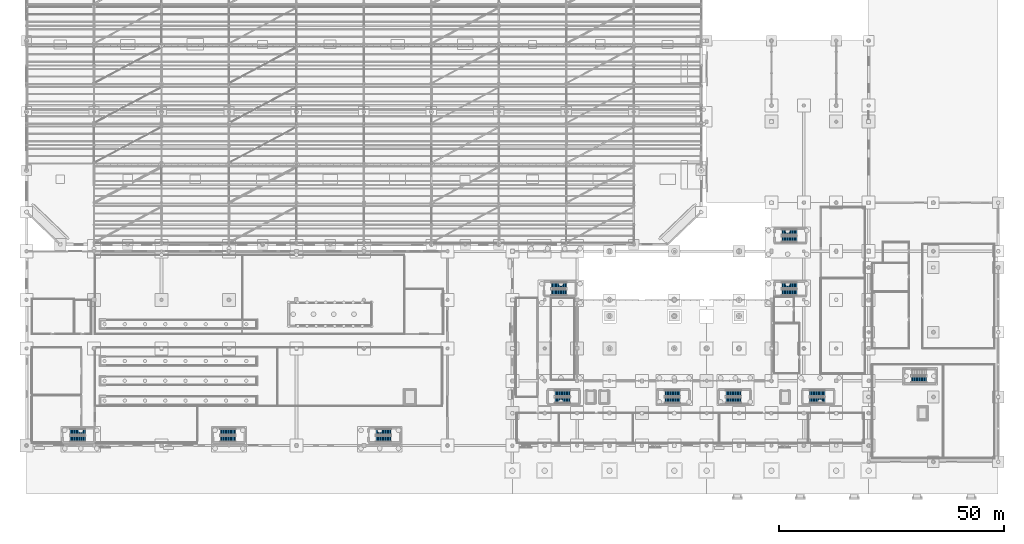
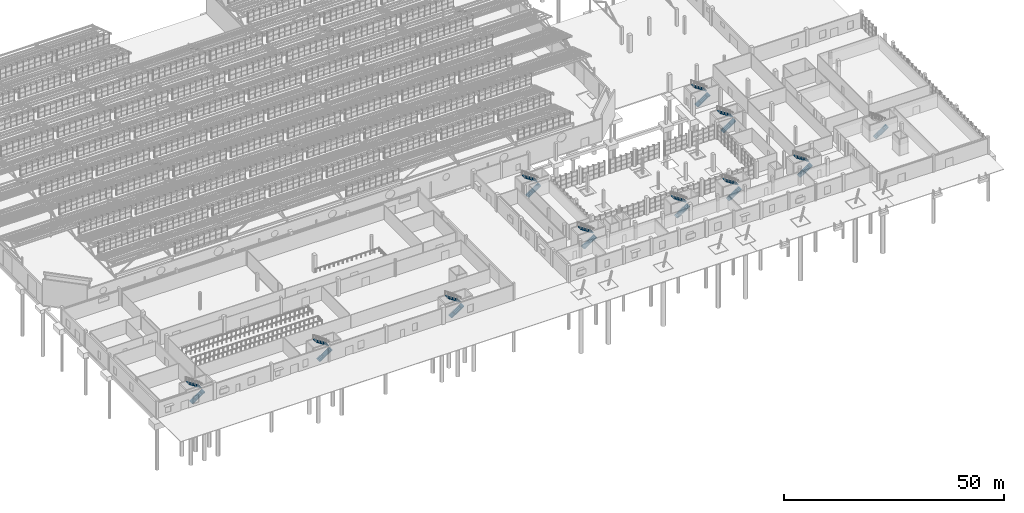
# One storey, part 263 of 285: 21 stair flights, 11 elements without a shape of their own.
"""IFC4 building model written with IfcOpenShell, lengths in metres."""

from ifc_helpers import new_model, si_unit, direction, frame, origin, place, context, subcontext, project, spatial, polyline, outline, extrude, material, type_object, element, aggregate, save


model = new_model("IFC4")

# Units and contexts
model_context = context("Model", 3, precision=1e-05, world=origin(), true_north=direction((0.0, 1.0)))
body_context = subcontext(model_context, "Body", "Model", "MODEL_VIEW")
ifc_project = project(units=[si_unit("LENGTHUNIT", "METRE"), si_unit("AREAUNIT", "SQUARE_METRE"), si_unit("VOLUMEUNIT", "CUBIC_METRE"), si_unit("PLANEANGLEUNIT", "RADIAN"), si_unit("MASSUNIT", "GRAM", prefix="KILO")], contexts=[model_context])

# Site, building, storey
site_placement = place(None, origin())
site = spatial("IfcSite", under=ifc_project, at=site_placement, CompositionType="ELEMENT")
building_placement = place(site_placement, origin())
building = spatial("IfcBuilding", under=site, at=building_placement, Name="Solanera Park Tramway Depot", CompositionType="ELEMENT")
storey_placement = place(building_placement, origin())
storey = spatial("IfcBuildingStorey", under=building, at=storey_placement, Name="L00", CompositionType="ELEMENT", Elevation=0.0)

# Stair, stair flights
ifc_material_1 = material(Name="Concrete N40 (C40/50)", Category="concrete")
stair_type = type_object("IfcStairType", Name="Stair Half-Turn Dogleg 4800", PredefinedType="HALF_TURN_STAIR", material=ifc_material_1)
stair_1_placement = place(storey_placement, origin())
stair_1 = element("IfcStair", 1, at=stair_1_placement, inside=storey, type_object=stair_type, Name="ST-01 L00 Half-Turn Stair", PredefinedType="HALF_TURN_STAIR")
ifc_material_2 = material(Name="Concrete N40 (C40/50)", Category="concrete")
stair_flight_type = type_object("IfcStairFlightType", Name="Stair Flight Concrete 1300", PredefinedType="STRAIGHT", material=ifc_material_2)
stair_flight_1_placement = place(storey_placement, frame((117.5, 20.875, 0.0), z_axis=(0.0, 0.0, 1.0), x_axis=(1.0, 0.0, 0.0)))
stair_flight_1 = element("IfcStairFlight", 2, at=stair_flight_1_placement, type_object=stair_flight_type, Name="ST-01 L00 Stair Flight 1", NumberOfRisers=13, NumberOfTreads=12, PredefinedType="STRAIGHT", RiserHeight=0.184615385, TreadLength=0.28, context=body_context, shape_type="SweptSolid", body=[
    extrude(outline(polyline([(0.0, 0.0), (0.0, 0.1845703125), (0.280029296875, 0.1845703125), (0.280029296875, 0.369140625), (0.56005859375, 0.369140625), (0.56005859375, 0.553955078125), (0.840087890625, 0.553955078125), (0.840087890625, 0.738525390625), (1.1201171875, 0.738525390625), (1.1201171875, 0.923095703125), (1.39990234375, 0.923095703125), (1.39990234375, 1.107666015625), (1.679931640625, 1.107666015625), (1.679931640625, 1.292236328125), (1.9599609375, 1.292236328125), (1.9599609375, 1.476806640625), (2.239990234375, 1.476806640625), (2.239990234375, 1.66162109375), (2.52001953125, 1.66162109375), (2.52001953125, 1.84619140625), (2.800048828125, 1.84619140625), (2.800048828125, 2.03076171875), (3.080078125, 2.03076171875), (3.080078125, 2.21533203125), (3.360107421875, 2.21533203125), (3.360107421875, 2.39990234375), (3.360107421875, 2.02392578125), (0.29052734375, 0.0), (0.0, 0.0)])), frame((0.0, 0.675048828125, 0.0), z_axis=(0.0, -1.0, 0.0), x_axis=(1.0, 0.0, 0.0)), (0.0, 0.0, 1.0), 1.35009765625),
])
stair_flight_2_placement = place(storey_placement, frame((120.860107421875, 22.425048828125, 2.39990234375), z_axis=(0.0, 0.0, 1.0), x_axis=(-1.0, 0.0, 0.0)))
stair_flight_2 = element("IfcStairFlight", 3, at=stair_flight_2_placement, type_object=stair_flight_type, Name="ST-01 L00 Stair Flight 2", NumberOfRisers=13, NumberOfTreads=12, PredefinedType="STRAIGHT", RiserHeight=0.184615385, TreadLength=0.28, context=body_context, shape_type="SweptSolid", body=[
    extrude(outline(polyline([(0.0, 0.0), (0.0, 0.1845703125), (0.280029296875, 0.1845703125), (0.280029296875, 0.369140625), (0.56005859375, 0.369140625), (0.56005859375, 0.553955078125), (0.840087890625, 0.553955078125), (0.840087890625, 0.738525390625), (1.1201171875, 0.738525390625), (1.1201171875, 0.923095703125), (1.39990234375, 0.923095703125), (1.39990234375, 1.107666015625), (1.679931640625, 1.107666015625), (1.679931640625, 1.292236328125), (1.9599609375, 1.292236328125), (1.9599609375, 1.476806640625), (2.239990234375, 1.476806640625), (2.239990234375, 1.66162109375), (2.52001953125, 1.66162109375), (2.52001953125, 1.84619140625), (2.800048828125, 1.84619140625), (2.800048828125, 2.03076171875), (3.080078125, 2.03076171875), (3.080078125, 2.21533203125), (3.360107421875, 2.21533203125), (3.360107421875, 2.39990234375), (3.360107421875, 2.02392578125), (0.29052734375, 0.0), (0.0, 0.0)])), frame((0.0, 0.675048828125, 0.0), z_axis=(0.0, -1.0, 0.0), x_axis=(1.0, 0.0, 0.0)), (0.0, 0.0, 1.0), 1.35009765625),
])
aggregate(stair_1, [stair_flight_1, stair_flight_2])

stair_2_placement = place(storey_placement, origin())
stair_2 = element("IfcStair", 4, at=stair_2_placement, inside=storey, type_object=stair_type, Name="ST-02 L00 Half-Turn Stair", PredefinedType="HALF_TURN_STAIR")
stair_flight_3_placement = place(storey_placement, frame((141.89990234375, 20.875, 0.0), z_axis=(0.0, 0.0, 1.0), x_axis=(1.0, 0.0, 0.0)))
stair_flight_3 = element("IfcStairFlight", 5, at=stair_flight_3_placement, type_object=stair_flight_type, Name="ST-02 L00 Stair Flight 1", NumberOfRisers=13, NumberOfTreads=12, PredefinedType="STRAIGHT", RiserHeight=0.184615385, TreadLength=0.28, context=body_context, shape_type="SweptSolid", body=[
    extrude(outline(polyline([(0.0, 0.0), (0.0, 0.1845703125), (0.280029296875, 0.1845703125), (0.280029296875, 0.369140625), (0.56005859375, 0.369140625), (0.56005859375, 0.553955078125), (0.840087890625, 0.553955078125), (0.840087890625, 0.738525390625), (1.1201171875, 0.738525390625), (1.1201171875, 0.923095703125), (1.39990234375, 0.923095703125), (1.39990234375, 1.107666015625), (1.679931640625, 1.107666015625), (1.679931640625, 1.292236328125), (1.9599609375, 1.292236328125), (1.9599609375, 1.476806640625), (2.239990234375, 1.476806640625), (2.239990234375, 1.66162109375), (2.52001953125, 1.66162109375), (2.52001953125, 1.84619140625), (2.800048828125, 1.84619140625), (2.800048828125, 2.03076171875), (3.080078125, 2.03076171875), (3.080078125, 2.21533203125), (3.360107421875, 2.21533203125), (3.360107421875, 2.39990234375), (3.360107421875, 2.02392578125), (0.29052734375, 0.0), (0.0, 0.0)])), frame((0.0, 0.675048828125, 0.0), z_axis=(0.0, -1.0, 0.0), x_axis=(1.0, 0.0, 0.0)), (0.0, 0.0, 1.0), 1.35009765625),
])
stair_flight_4_placement = place(storey_placement, frame((145.260009765625, 22.425048828125, 2.39990234375), z_axis=(0.0, 0.0, 1.0), x_axis=(-1.0, 0.0, 0.0)))
stair_flight_4 = element("IfcStairFlight", 6, at=stair_flight_4_placement, type_object=stair_flight_type, Name="ST-02 L00 Stair Flight 2", NumberOfRisers=13, NumberOfTreads=12, PredefinedType="STRAIGHT", RiserHeight=0.184615385, TreadLength=0.28, context=body_context, shape_type="SweptSolid", body=[
    extrude(outline(polyline([(0.0, 0.0), (0.0, 0.1845703125), (0.280029296875, 0.1845703125), (0.280029296875, 0.369140625), (0.56005859375, 0.369140625), (0.56005859375, 0.553955078125), (0.840087890625, 0.553955078125), (0.840087890625, 0.738525390625), (1.1201171875, 0.738525390625), (1.1201171875, 0.923095703125), (1.39990234375, 0.923095703125), (1.39990234375, 1.107666015625), (1.679931640625, 1.107666015625), (1.679931640625, 1.292236328125), (1.9599609375, 1.292236328125), (1.9599609375, 1.476806640625), (2.239990234375, 1.476806640625), (2.239990234375, 1.66162109375), (2.52001953125, 1.66162109375), (2.52001953125, 1.84619140625), (2.800048828125, 1.84619140625), (2.800048828125, 2.03076171875), (3.080078125, 2.03076171875), (3.080078125, 2.21533203125), (3.360107421875, 2.21533203125), (3.360107421875, 2.39990234375), (3.360107421875, 2.02392578125), (0.29052734375, 0.0), (0.0, 0.0)])), frame((0.0, 0.675048828125, 0.0), z_axis=(0.0, -1.0, 0.0), x_axis=(1.0, 0.0, 0.0)), (0.0, 0.0, 1.0), 1.35009765625),
])
aggregate(stair_2, [stair_flight_3, stair_flight_4])

stair_3_placement = place(storey_placement, origin())
stair_3 = element("IfcStair", 7, at=stair_3_placement, inside=storey, type_object=stair_type, Name="ST-03 L00 Half-Turn Stair", PredefinedType="HALF_TURN_STAIR")
stair_flight_5_placement = place(storey_placement, frame((155.5, 20.875, 0.0), z_axis=(0.0, 0.0, 1.0), x_axis=(1.0, 0.0, 0.0)))
stair_flight_5 = element("IfcStairFlight", 8, at=stair_flight_5_placement, type_object=stair_flight_type, Name="ST-03 L00 Stair Flight 1", NumberOfRisers=13, NumberOfTreads=12, PredefinedType="STRAIGHT", RiserHeight=0.184615385, TreadLength=0.28, context=body_context, shape_type="SweptSolid", body=[
    extrude(outline(polyline([(0.0, 0.0), (0.0, 0.1845703125), (0.280029296875, 0.1845703125), (0.280029296875, 0.369140625), (0.56005859375, 0.369140625), (0.56005859375, 0.553955078125), (0.840087890625, 0.553955078125), (0.840087890625, 0.738525390625), (1.1201171875, 0.738525390625), (1.1201171875, 0.923095703125), (1.39990234375, 0.923095703125), (1.39990234375, 1.107666015625), (1.679931640625, 1.107666015625), (1.679931640625, 1.292236328125), (1.9599609375, 1.292236328125), (1.9599609375, 1.476806640625), (2.239990234375, 1.476806640625), (2.239990234375, 1.66162109375), (2.52001953125, 1.66162109375), (2.52001953125, 1.84619140625), (2.800048828125, 1.84619140625), (2.800048828125, 2.03076171875), (3.080078125, 2.03076171875), (3.080078125, 2.21533203125), (3.360107421875, 2.21533203125), (3.360107421875, 2.39990234375), (3.360107421875, 2.02392578125), (0.29052734375, 0.0), (0.0, 0.0)])), frame((0.0, 0.675048828125, 0.0), z_axis=(0.0, -1.0, 0.0), x_axis=(1.0, 0.0, 0.0)), (0.0, 0.0, 1.0), 1.35009765625),
])
stair_flight_6_placement = place(storey_placement, frame((158.860107421875, 22.425048828125, 2.39990234375), z_axis=(0.0, 0.0, 1.0), x_axis=(-1.0, 0.0, 0.0)))
stair_flight_6 = element("IfcStairFlight", 9, at=stair_flight_6_placement, type_object=stair_flight_type, Name="ST-03 L00 Stair Flight 2", NumberOfRisers=13, NumberOfTreads=12, PredefinedType="STRAIGHT", RiserHeight=0.184615385, TreadLength=0.28, context=body_context, shape_type="SweptSolid", body=[
    extrude(outline(polyline([(0.0, 0.0), (0.0, 0.1845703125), (0.280029296875, 0.1845703125), (0.280029296875, 0.369140625), (0.56005859375, 0.369140625), (0.56005859375, 0.553955078125), (0.840087890625, 0.553955078125), (0.840087890625, 0.738525390625), (1.1201171875, 0.738525390625), (1.1201171875, 0.923095703125), (1.39990234375, 0.923095703125), (1.39990234375, 1.107666015625), (1.679931640625, 1.107666015625), (1.679931640625, 1.292236328125), (1.9599609375, 1.292236328125), (1.9599609375, 1.476806640625), (2.239990234375, 1.476806640625), (2.239990234375, 1.66162109375), (2.52001953125, 1.66162109375), (2.52001953125, 1.84619140625), (2.800048828125, 1.84619140625), (2.800048828125, 2.03076171875), (3.080078125, 2.03076171875), (3.080078125, 2.21533203125), (3.360107421875, 2.21533203125), (3.360107421875, 2.39990234375), (3.360107421875, 2.02392578125), (0.29052734375, 0.0), (0.0, 0.0)])), frame((0.0, 0.675048828125, 0.0), z_axis=(0.0, -1.0, 0.0), x_axis=(1.0, 0.0, 0.0)), (0.0, 0.0, 1.0), 1.35009765625),
])
aggregate(stair_3, [stair_flight_5, stair_flight_6])

stair_4_placement = place(storey_placement, origin())
stair_4 = element("IfcStair", 10, at=stair_4_placement, inside=storey, type_object=stair_type, Name="ST-04 L00 Half-Turn Stair", PredefinedType="HALF_TURN_STAIR")
stair_flight_7_placement = place(storey_placement, frame((174.10009765625, 20.875, 0.0), z_axis=(0.0, 0.0, 1.0), x_axis=(1.0, 0.0, 0.0)))
stair_flight_7 = element("IfcStairFlight", 11, at=stair_flight_7_placement, type_object=stair_flight_type, Name="ST-04 L00 Stair Flight 1", NumberOfRisers=13, NumberOfTreads=12, PredefinedType="STRAIGHT", RiserHeight=0.184615385, TreadLength=0.28, context=body_context, shape_type="SweptSolid", body=[
    extrude(outline(polyline([(0.0, 0.0), (0.0, 0.1845703125), (0.280029296875, 0.1845703125), (0.280029296875, 0.369140625), (0.56005859375, 0.369140625), (0.56005859375, 0.553955078125), (0.840087890625, 0.553955078125), (0.840087890625, 0.738525390625), (1.1201171875, 0.738525390625), (1.1201171875, 0.923095703125), (1.39990234375, 0.923095703125), (1.39990234375, 1.107666015625), (1.679931640625, 1.107666015625), (1.679931640625, 1.292236328125), (1.9599609375, 1.292236328125), (1.9599609375, 1.476806640625), (2.239990234375, 1.476806640625), (2.239990234375, 1.66162109375), (2.52001953125, 1.66162109375), (2.52001953125, 1.84619140625), (2.800048828125, 1.84619140625), (2.800048828125, 2.03076171875), (3.080078125, 2.03076171875), (3.080078125, 2.21533203125), (3.360107421875, 2.21533203125), (3.360107421875, 2.39990234375), (3.360107421875, 2.02392578125), (0.29052734375, 0.0), (0.0, 0.0)])), frame((0.0, 0.675048828125, 0.0), z_axis=(0.0, -1.0, 0.0), x_axis=(1.0, 0.0, 0.0)), (0.0, 0.0, 1.0), 1.35009765625),
])
stair_flight_8_placement = place(storey_placement, frame((177.4599609375, 22.425048828125, 2.39990234375), z_axis=(0.0, 0.0, 1.0), x_axis=(-1.0, 0.0, 0.0)))
stair_flight_8 = element("IfcStairFlight", 12, at=stair_flight_8_placement, type_object=stair_flight_type, Name="ST-04 L00 Stair Flight 2", NumberOfRisers=13, NumberOfTreads=12, PredefinedType="STRAIGHT", RiserHeight=0.184615385, TreadLength=0.28, context=body_context, shape_type="SweptSolid", body=[
    extrude(outline(polyline([(0.0, 0.0), (0.0, 0.1845703125), (0.280029296875, 0.1845703125), (0.280029296875, 0.369140625), (0.56005859375, 0.369140625), (0.56005859375, 0.553955078125), (0.840087890625, 0.553955078125), (0.840087890625, 0.738525390625), (1.1201171875, 0.738525390625), (1.1201171875, 0.923095703125), (1.39990234375, 0.923095703125), (1.39990234375, 1.107666015625), (1.679931640625, 1.107666015625), (1.679931640625, 1.292236328125), (1.9599609375, 1.292236328125), (1.9599609375, 1.476806640625), (2.239990234375, 1.476806640625), (2.239990234375, 1.66162109375), (2.52001953125, 1.66162109375), (2.52001953125, 1.84619140625), (2.800048828125, 1.84619140625), (2.800048828125, 2.03076171875), (3.080078125, 2.03076171875), (3.080078125, 2.21533203125), (3.360107421875, 2.21533203125), (3.360107421875, 2.39990234375), (3.360107421875, 2.02392578125), (0.29052734375, 0.0), (0.0, 0.0)])), frame((0.0, 0.675048828125, 0.0), z_axis=(0.0, -1.0, 0.0), x_axis=(1.0, 0.0, 0.0)), (0.0, 0.0, 1.0), 1.35009765625),
])
aggregate(stair_4, [stair_flight_7, stair_flight_8])

stair_5_placement = place(storey_placement, origin())
stair_5 = element("IfcStair", 13, at=stair_5_placement, inside=storey, type_object=stair_type, Name="ST-05 L00 Half-Turn Stair", PredefinedType="HALF_TURN_STAIR")
stair_flight_9_placement = place(storey_placement, frame((167.89990234375, 44.875, 0.0), z_axis=(0.0, 0.0, 1.0), x_axis=(1.0, 0.0, 0.0)))
stair_flight_9 = element("IfcStairFlight", 14, at=stair_flight_9_placement, type_object=stair_flight_type, Name="ST-05 L00 Stair Flight 1", NumberOfRisers=13, NumberOfTreads=12, PredefinedType="STRAIGHT", RiserHeight=0.184615385, TreadLength=0.28, context=body_context, shape_type="SweptSolid", body=[
    extrude(outline(polyline([(0.0, 0.0), (0.0, 0.1845703125), (0.280029296875, 0.1845703125), (0.280029296875, 0.369140625), (0.56005859375, 0.369140625), (0.56005859375, 0.553955078125), (0.840087890625, 0.553955078125), (0.840087890625, 0.738525390625), (1.1201171875, 0.738525390625), (1.1201171875, 0.923095703125), (1.39990234375, 0.923095703125), (1.39990234375, 1.107666015625), (1.679931640625, 1.107666015625), (1.679931640625, 1.292236328125), (1.9599609375, 1.292236328125), (1.9599609375, 1.476806640625), (2.239990234375, 1.476806640625), (2.239990234375, 1.66162109375), (2.52001953125, 1.66162109375), (2.52001953125, 1.84619140625), (2.800048828125, 1.84619140625), (2.800048828125, 2.03076171875), (3.080078125, 2.03076171875), (3.080078125, 2.21533203125), (3.360107421875, 2.21533203125), (3.360107421875, 2.39990234375), (3.360107421875, 2.02392578125), (0.29052734375, 0.0), (0.0, 0.0)])), frame((0.0, 0.675048828125, 0.0), z_axis=(0.0, -1.0, 0.0), x_axis=(1.0, 0.0, 0.0)), (0.0, 0.0, 1.0), 1.35009765625),
])
stair_flight_10_placement = place(storey_placement, frame((171.260009765625, 46.425048828125, 2.39990234375), z_axis=(0.0, 0.0, 1.0), x_axis=(-1.0, 0.0, 0.0)))
stair_flight_10 = element("IfcStairFlight", 15, at=stair_flight_10_placement, type_object=stair_flight_type, Name="ST-05 L00 Stair Flight 2", NumberOfRisers=13, NumberOfTreads=12, PredefinedType="STRAIGHT", RiserHeight=0.184615385, TreadLength=0.28, context=body_context, shape_type="SweptSolid", body=[
    extrude(outline(polyline([(0.0, 0.0), (0.0, 0.1845703125), (0.280029296875, 0.1845703125), (0.280029296875, 0.369140625), (0.56005859375, 0.369140625), (0.56005859375, 0.553955078125), (0.840087890625, 0.553955078125), (0.840087890625, 0.738525390625), (1.1201171875, 0.738525390625), (1.1201171875, 0.923095703125), (1.39990234375, 0.923095703125), (1.39990234375, 1.107666015625), (1.679931640625, 1.107666015625), (1.679931640625, 1.292236328125), (1.9599609375, 1.292236328125), (1.9599609375, 1.476806640625), (2.239990234375, 1.476806640625), (2.239990234375, 1.66162109375), (2.52001953125, 1.66162109375), (2.52001953125, 1.84619140625), (2.800048828125, 1.84619140625), (2.800048828125, 2.03076171875), (3.080078125, 2.03076171875), (3.080078125, 2.21533203125), (3.360107421875, 2.21533203125), (3.360107421875, 2.39990234375), (3.360107421875, 2.02392578125), (0.29052734375, 0.0), (0.0, 0.0)])), frame((0.0, 0.675048828125, 0.0), z_axis=(0.0, -1.0, 0.0), x_axis=(1.0, 0.0, 0.0)), (0.0, 0.0, 1.0), 1.35009765625),
])
aggregate(stair_5, [stair_flight_9, stair_flight_10])

stair_6_placement = place(storey_placement, origin())
stair_6 = element("IfcStair", 16, at=stair_6_placement, inside=storey, type_object=stair_type, Name="ST-06 L00 Half-Turn Stair", PredefinedType="HALF_TURN_STAIR")
stair_flight_11_placement = place(storey_placement, frame((167.89990234375, 56.675048828125, 0.0), z_axis=(0.0, 0.0, 1.0), x_axis=(1.0, 0.0, 0.0)))
stair_flight_11 = element("IfcStairFlight", 17, at=stair_flight_11_placement, type_object=stair_flight_type, Name="ST-06 L00 Stair Flight 1", NumberOfRisers=13, NumberOfTreads=12, PredefinedType="STRAIGHT", RiserHeight=0.184615385, TreadLength=0.28, context=body_context, shape_type="SweptSolid", body=[
    extrude(outline(polyline([(0.0, 0.0), (0.0, 0.1845703125), (0.280029296875, 0.1845703125), (0.280029296875, 0.369140625), (0.56005859375, 0.369140625), (0.56005859375, 0.553955078125), (0.840087890625, 0.553955078125), (0.840087890625, 0.738525390625), (1.1201171875, 0.738525390625), (1.1201171875, 0.923095703125), (1.39990234375, 0.923095703125), (1.39990234375, 1.107666015625), (1.679931640625, 1.107666015625), (1.679931640625, 1.292236328125), (1.9599609375, 1.292236328125), (1.9599609375, 1.476806640625), (2.239990234375, 1.476806640625), (2.239990234375, 1.66162109375), (2.52001953125, 1.66162109375), (2.52001953125, 1.84619140625), (2.800048828125, 1.84619140625), (2.800048828125, 2.03076171875), (3.080078125, 2.03076171875), (3.080078125, 2.21533203125), (3.360107421875, 2.21533203125), (3.360107421875, 2.39990234375), (3.360107421875, 2.02392578125), (0.29052734375, 0.0), (0.0, 0.0)])), frame((0.0, 0.675048828125, 0.0), z_axis=(0.0, -1.0, 0.0), x_axis=(1.0, 0.0, 0.0)), (0.0, 0.0, 1.0), 1.35009765625),
])
stair_flight_12_placement = place(storey_placement, frame((171.260009765625, 58.22509765625, 2.39990234375), z_axis=(0.0, 0.0, 1.0), x_axis=(-1.0, 0.0, 0.0)))
stair_flight_12 = element("IfcStairFlight", 18, at=stair_flight_12_placement, type_object=stair_flight_type, Name="ST-06 L00 Stair Flight 2", NumberOfRisers=13, NumberOfTreads=12, PredefinedType="STRAIGHT", RiserHeight=0.184615385, TreadLength=0.28, context=body_context, shape_type="SweptSolid", body=[
    extrude(outline(polyline([(0.0, 0.0), (0.0, 0.1845703125), (0.280029296875, 0.1845703125), (0.280029296875, 0.369140625), (0.56005859375, 0.369140625), (0.56005859375, 0.553955078125), (0.840087890625, 0.553955078125), (0.840087890625, 0.738525390625), (1.1201171875, 0.738525390625), (1.1201171875, 0.923095703125), (1.39990234375, 0.923095703125), (1.39990234375, 1.107666015625), (1.679931640625, 1.107666015625), (1.679931640625, 1.292236328125), (1.9599609375, 1.292236328125), (1.9599609375, 1.476806640625), (2.239990234375, 1.476806640625), (2.239990234375, 1.66162109375), (2.52001953125, 1.66162109375), (2.52001953125, 1.84619140625), (2.800048828125, 1.84619140625), (2.800048828125, 2.03076171875), (3.080078125, 2.03076171875), (3.080078125, 2.21533203125), (3.360107421875, 2.21533203125), (3.360107421875, 2.39990234375), (3.360107421875, 2.02392578125), (0.29052734375, 0.0), (0.0, 0.0)])), frame((0.0, 0.675048828125, 0.0), z_axis=(0.0, -1.0, 0.0), x_axis=(1.0, 0.0, 0.0)), (0.0, 0.0, 1.0), 1.35009765625),
])
aggregate(stair_6, [stair_flight_11, stair_flight_12])

stair_7_placement = place(storey_placement, origin())
stair_7 = element("IfcStair", 19, at=stair_7_placement, inside=storey, type_object=stair_type, Name="ST-07 L00 Half-Turn Stair", PredefinedType="HALF_TURN_STAIR")
stair_flight_13_placement = place(storey_placement, frame((116.699951171875, 44.875, 0.0), z_axis=(0.0, 0.0, 1.0), x_axis=(1.0, 0.0, 0.0)))
stair_flight_13 = element("IfcStairFlight", 20, at=stair_flight_13_placement, type_object=stair_flight_type, Name="ST-07 L00 Stair Flight 1", NumberOfRisers=13, NumberOfTreads=12, PredefinedType="STRAIGHT", RiserHeight=0.184615385, TreadLength=0.28, context=body_context, shape_type="SweptSolid", body=[
    extrude(outline(polyline([(0.0, 0.0), (0.0, 0.1845703125), (0.280029296875, 0.1845703125), (0.280029296875, 0.369140625), (0.56005859375, 0.369140625), (0.56005859375, 0.553955078125), (0.840087890625, 0.553955078125), (0.840087890625, 0.738525390625), (1.1201171875, 0.738525390625), (1.1201171875, 0.923095703125), (1.39990234375, 0.923095703125), (1.39990234375, 1.107666015625), (1.679931640625, 1.107666015625), (1.679931640625, 1.292236328125), (1.9599609375, 1.292236328125), (1.9599609375, 1.476806640625), (2.239990234375, 1.476806640625), (2.239990234375, 1.66162109375), (2.52001953125, 1.66162109375), (2.52001953125, 1.84619140625), (2.800048828125, 1.84619140625), (2.800048828125, 2.03076171875), (3.080078125, 2.03076171875), (3.080078125, 2.21533203125), (3.360107421875, 2.21533203125), (3.360107421875, 2.39990234375), (3.360107421875, 2.02392578125), (0.29052734375, 0.0), (0.0, 0.0)])), frame((0.0, 0.675048828125, 0.0), z_axis=(0.0, -1.0, 0.0), x_axis=(1.0, 0.0, 0.0)), (0.0, 0.0, 1.0), 1.35009765625),
])
stair_flight_14_placement = place(storey_placement, frame((120.06005859375, 46.425048828125, 2.39990234375), z_axis=(0.0, 0.0, 1.0), x_axis=(-1.0, 0.0, 0.0)))
stair_flight_14 = element("IfcStairFlight", 21, at=stair_flight_14_placement, type_object=stair_flight_type, Name="ST-07 L00 Stair Flight 2", NumberOfRisers=13, NumberOfTreads=12, PredefinedType="STRAIGHT", RiserHeight=0.184615385, TreadLength=0.28, context=body_context, shape_type="SweptSolid", body=[
    extrude(outline(polyline([(0.0, 0.0), (0.0, 0.1845703125), (0.280029296875, 0.1845703125), (0.280029296875, 0.369140625), (0.56005859375, 0.369140625), (0.56005859375, 0.553955078125), (0.840087890625, 0.553955078125), (0.840087890625, 0.738525390625), (1.1201171875, 0.738525390625), (1.1201171875, 0.923095703125), (1.39990234375, 0.923095703125), (1.39990234375, 1.107666015625), (1.679931640625, 1.107666015625), (1.679931640625, 1.292236328125), (1.9599609375, 1.292236328125), (1.9599609375, 1.476806640625), (2.239990234375, 1.476806640625), (2.239990234375, 1.66162109375), (2.52001953125, 1.66162109375), (2.52001953125, 1.84619140625), (2.800048828125, 1.84619140625), (2.800048828125, 2.03076171875), (3.080078125, 2.03076171875), (3.080078125, 2.21533203125), (3.360107421875, 2.21533203125), (3.360107421875, 2.39990234375), (3.360107421875, 2.02392578125), (0.29052734375, 0.0), (0.0, 0.0)])), frame((0.0, 0.675048828125, 0.0), z_axis=(0.0, -1.0, 0.0), x_axis=(1.0, 0.0, 0.0)), (0.0, 0.0, 1.0), 1.35009765625),
])
aggregate(stair_7, [stair_flight_13, stair_flight_14])

stair_8_placement = place(storey_placement, origin())
stair_8 = element("IfcStair", 22, at=stair_8_placement, inside=storey, type_object=stair_type, Name="ST-08 L00 Half-Turn Stair", PredefinedType="HALF_TURN_STAIR")
stair_flight_15_placement = place(storey_placement, frame((9.699951171875, 12.27490234375, 0.0), z_axis=(0.0, 0.0, 1.0), x_axis=(1.0, 0.0, 0.0)))
stair_flight_15 = element("IfcStairFlight", 23, at=stair_flight_15_placement, type_object=stair_flight_type, Name="ST-08 L00 Stair Flight 1", NumberOfRisers=13, NumberOfTreads=12, PredefinedType="STRAIGHT", RiserHeight=0.184615385, TreadLength=0.28, context=body_context, shape_type="SweptSolid", body=[
    extrude(outline(polyline([(0.0, 0.0), (0.0, 0.1845703125), (0.280029296875, 0.1845703125), (0.280029296875, 0.369140625), (0.56005859375, 0.369140625), (0.56005859375, 0.553955078125), (0.840087890625, 0.553955078125), (0.840087890625, 0.738525390625), (1.1201171875, 0.738525390625), (1.1201171875, 0.923095703125), (1.39990234375, 0.923095703125), (1.39990234375, 1.107666015625), (1.679931640625, 1.107666015625), (1.679931640625, 1.292236328125), (1.9599609375, 1.292236328125), (1.9599609375, 1.476806640625), (2.239990234375, 1.476806640625), (2.239990234375, 1.66162109375), (2.52001953125, 1.66162109375), (2.52001953125, 1.84619140625), (2.800048828125, 1.84619140625), (2.800048828125, 2.03076171875), (3.080078125, 2.03076171875), (3.080078125, 2.21533203125), (3.360107421875, 2.21533203125), (3.360107421875, 2.39990234375), (3.360107421875, 2.02392578125), (0.29052734375, 0.0), (0.0, 0.0)])), frame((0.0, 0.675048828125, 0.0), z_axis=(0.0, -1.0, 0.0), x_axis=(1.0, 0.0, 0.0)), (0.0, 0.0, 1.0), 1.35009765625),
])
stair_flight_16_placement = place(storey_placement, frame((13.06005859375, 13.824951171875, 2.39990234375), z_axis=(0.0, 0.0, 1.0), x_axis=(-1.0, 0.0, 0.0)))
stair_flight_16 = element("IfcStairFlight", 24, at=stair_flight_16_placement, type_object=stair_flight_type, Name="ST-08 L00 Stair Flight 2", NumberOfRisers=13, NumberOfTreads=12, PredefinedType="STRAIGHT", RiserHeight=0.184615385, TreadLength=0.28, context=body_context, shape_type="SweptSolid", body=[
    extrude(outline(polyline([(0.0, 0.0), (0.0, 0.1845703125), (0.280029296875, 0.1845703125), (0.280029296875, 0.369140625), (0.56005859375, 0.369140625), (0.56005859375, 0.553955078125), (0.840087890625, 0.553955078125), (0.840087890625, 0.738525390625), (1.1201171875, 0.738525390625), (1.1201171875, 0.923095703125), (1.39990234375, 0.923095703125), (1.39990234375, 1.107666015625), (1.679931640625, 1.107666015625), (1.679931640625, 1.292236328125), (1.9599609375, 1.292236328125), (1.9599609375, 1.476806640625), (2.239990234375, 1.476806640625), (2.239990234375, 1.66162109375), (2.52001953125, 1.66162109375), (2.52001953125, 1.84619140625), (2.800048828125, 1.84619140625), (2.800048828125, 2.03076171875), (3.080078125, 2.03076171875), (3.080078125, 2.21533203125), (3.360107421875, 2.21533203125), (3.360107421875, 2.39990234375), (3.360107421875, 2.02392578125), (0.29052734375, 0.0), (0.0, 0.0)])), frame((0.0, 0.675048828125, 0.0), z_axis=(0.0, -1.0, 0.0), x_axis=(1.0, 0.0, 0.0)), (0.0, 0.0, 1.0), 1.35009765625),
])
aggregate(stair_8, [stair_flight_15, stair_flight_16])

stair_9_placement = place(storey_placement, origin())
stair_9 = element("IfcStair", 25, at=stair_9_placement, inside=storey, type_object=stair_type, Name="ST-09 L00 Half-Turn Stair", PredefinedType="HALF_TURN_STAIR")
stair_flight_17_placement = place(storey_placement, frame((77.699951171875, 12.27490234375, 0.0), z_axis=(0.0, 0.0, 1.0), x_axis=(1.0, 0.0, 0.0)))
stair_flight_17 = element("IfcStairFlight", 26, at=stair_flight_17_placement, type_object=stair_flight_type, Name="ST-09 L00 Stair Flight 1", NumberOfRisers=13, NumberOfTreads=12, PredefinedType="STRAIGHT", RiserHeight=0.184615385, TreadLength=0.28, context=body_context, shape_type="SweptSolid", body=[
    extrude(outline(polyline([(0.0, 0.0), (0.0, 0.1845703125), (0.280029296875, 0.1845703125), (0.280029296875, 0.369140625), (0.56005859375, 0.369140625), (0.56005859375, 0.553955078125), (0.840087890625, 0.553955078125), (0.840087890625, 0.738525390625), (1.1201171875, 0.738525390625), (1.1201171875, 0.923095703125), (1.39990234375, 0.923095703125), (1.39990234375, 1.107666015625), (1.679931640625, 1.107666015625), (1.679931640625, 1.292236328125), (1.9599609375, 1.292236328125), (1.9599609375, 1.476806640625), (2.239990234375, 1.476806640625), (2.239990234375, 1.66162109375), (2.52001953125, 1.66162109375), (2.52001953125, 1.84619140625), (2.800048828125, 1.84619140625), (2.800048828125, 2.03076171875), (3.080078125, 2.03076171875), (3.080078125, 2.21533203125), (3.360107421875, 2.21533203125), (3.360107421875, 2.39990234375), (3.360107421875, 2.02392578125), (0.29052734375, 0.0), (0.0, 0.0)])), frame((0.0, 0.675048828125, 0.0), z_axis=(0.0, -1.0, 0.0), x_axis=(1.0, 0.0, 0.0)), (0.0, 0.0, 1.0), 1.35009765625),
])
stair_flight_18_placement = place(storey_placement, frame((81.06005859375, 13.824951171875, 2.39990234375), z_axis=(0.0, 0.0, 1.0), x_axis=(-1.0, 0.0, 0.0)))
stair_flight_18 = element("IfcStairFlight", 27, at=stair_flight_18_placement, type_object=stair_flight_type, Name="ST-09 L00 Stair Flight 2", NumberOfRisers=13, NumberOfTreads=12, PredefinedType="STRAIGHT", RiserHeight=0.184615385, TreadLength=0.28, context=body_context, shape_type="SweptSolid", body=[
    extrude(outline(polyline([(0.0, 0.0), (0.0, 0.1845703125), (0.280029296875, 0.1845703125), (0.280029296875, 0.369140625), (0.56005859375, 0.369140625), (0.56005859375, 0.553955078125), (0.840087890625, 0.553955078125), (0.840087890625, 0.738525390625), (1.1201171875, 0.738525390625), (1.1201171875, 0.923095703125), (1.39990234375, 0.923095703125), (1.39990234375, 1.107666015625), (1.679931640625, 1.107666015625), (1.679931640625, 1.292236328125), (1.9599609375, 1.292236328125), (1.9599609375, 1.476806640625), (2.239990234375, 1.476806640625), (2.239990234375, 1.66162109375), (2.52001953125, 1.66162109375), (2.52001953125, 1.84619140625), (2.800048828125, 1.84619140625), (2.800048828125, 2.03076171875), (3.080078125, 2.03076171875), (3.080078125, 2.21533203125), (3.360107421875, 2.21533203125), (3.360107421875, 2.39990234375), (3.360107421875, 2.02392578125), (0.29052734375, 0.0), (0.0, 0.0)])), frame((0.0, 0.675048828125, 0.0), z_axis=(0.0, -1.0, 0.0), x_axis=(1.0, 0.0, 0.0)), (0.0, 0.0, 1.0), 1.35009765625),
])
aggregate(stair_9, [stair_flight_17, stair_flight_18])

stair_10_placement = place(storey_placement, origin())
stair_10 = element("IfcStair", 28, at=stair_10_placement, inside=storey, type_object=stair_type, Name="ST-12 L00 Half-Turn Stair", PredefinedType="HALF_TURN_STAIR")
stair_flight_19_placement = place(storey_placement, frame((43.10009765625, 12.27490234375, 0.0), z_axis=(0.0, 0.0, 1.0), x_axis=(1.0, 0.0, 0.0)))
stair_flight_19 = element("IfcStairFlight", 29, at=stair_flight_19_placement, type_object=stair_flight_type, Name="ST-12 L00 Stair Flight 1", NumberOfRisers=13, NumberOfTreads=12, PredefinedType="STRAIGHT", RiserHeight=0.184615385, TreadLength=0.28, context=body_context, shape_type="SweptSolid", body=[
    extrude(outline(polyline([(0.0, 0.0), (0.0, 0.1845703125), (0.280029296875, 0.1845703125), (0.280029296875, 0.369140625), (0.56005859375, 0.369140625), (0.56005859375, 0.553955078125), (0.840087890625, 0.553955078125), (0.840087890625, 0.738525390625), (1.1201171875, 0.738525390625), (1.1201171875, 0.923095703125), (1.39990234375, 0.923095703125), (1.39990234375, 1.107666015625), (1.679931640625, 1.107666015625), (1.679931640625, 1.292236328125), (1.9599609375, 1.292236328125), (1.9599609375, 1.476806640625), (2.239990234375, 1.476806640625), (2.239990234375, 1.66162109375), (2.52001953125, 1.66162109375), (2.52001953125, 1.84619140625), (2.800048828125, 1.84619140625), (2.800048828125, 2.03076171875), (3.080078125, 2.03076171875), (3.080078125, 2.21533203125), (3.360107421875, 2.21533203125), (3.360107421875, 2.39990234375), (3.360107421875, 2.02392578125), (0.29052734375, 0.0), (0.0, 0.0)])), frame((0.0, 0.675048828125, 0.0), z_axis=(0.0, -1.0, 0.0), x_axis=(1.0, 0.0, 0.0)), (0.0, 0.0, 1.0), 1.35009765625),
])
stair_flight_20_placement = place(storey_placement, frame((46.4599609375, 13.824951171875, 2.39990234375), z_axis=(0.0, 0.0, 1.0), x_axis=(-1.0, 0.0, 0.0)))
stair_flight_20 = element("IfcStairFlight", 30, at=stair_flight_20_placement, type_object=stair_flight_type, Name="ST-12 L00 Stair Flight 2", NumberOfRisers=13, NumberOfTreads=12, PredefinedType="STRAIGHT", RiserHeight=0.184615385, TreadLength=0.28, context=body_context, shape_type="SweptSolid", body=[
    extrude(outline(polyline([(0.0, 0.0), (0.0, 0.1845703125), (0.280029296875, 0.1845703125), (0.280029296875, 0.369140625), (0.56005859375, 0.369140625), (0.56005859375, 0.553955078125), (0.840087890625, 0.553955078125), (0.840087890625, 0.738525390625), (1.1201171875, 0.738525390625), (1.1201171875, 0.923095703125), (1.39990234375, 0.923095703125), (1.39990234375, 1.107666015625), (1.679931640625, 1.107666015625), (1.679931640625, 1.292236328125), (1.9599609375, 1.292236328125), (1.9599609375, 1.476806640625), (2.239990234375, 1.476806640625), (2.239990234375, 1.66162109375), (2.52001953125, 1.66162109375), (2.52001953125, 1.84619140625), (2.800048828125, 1.84619140625), (2.800048828125, 2.03076171875), (3.080078125, 2.03076171875), (3.080078125, 2.21533203125), (3.360107421875, 2.21533203125), (3.360107421875, 2.39990234375), (3.360107421875, 2.02392578125), (0.29052734375, 0.0), (0.0, 0.0)])), frame((0.0, 0.675048828125, 0.0), z_axis=(0.0, -1.0, 0.0), x_axis=(1.0, 0.0, 0.0)), (0.0, 0.0, 1.0), 1.35009765625),
])
aggregate(stair_10, [stair_flight_19, stair_flight_20])

# Stair, stair flight
stair_11_placement = place(storey_placement, origin())
stair_11 = element("IfcStair", 31, at=stair_11_placement, inside=storey, type_object=stair_type, Name="ST-10 L00 Half-Turn Stair", PredefinedType="HALF_TURN_STAIR")
stair_flight_21_placement = place(storey_placement, frame((196.699951171875, 25.47509765625, 0.0), z_axis=(0.0, 0.0, 1.0), x_axis=(1.0, 0.0, 0.0)))
stair_flight_21 = element("IfcStairFlight", 32, at=stair_flight_21_placement, type_object=stair_flight_type, Name="ST-10 L00 Stair Flight 1", NumberOfRisers=13, NumberOfTreads=12, PredefinedType="STRAIGHT", RiserHeight=0.184615385, TreadLength=0.28, context=body_context, shape_type="SweptSolid", body=[
    extrude(outline(polyline([(0.0, 0.0), (0.0, 0.1845703125), (0.280029296875, 0.1845703125), (0.280029296875, 0.369140625), (0.56005859375, 0.369140625), (0.56005859375, 0.553955078125), (0.840087890625, 0.553955078125), (0.840087890625, 0.738525390625), (1.1201171875, 0.738525390625), (1.1201171875, 0.923095703125), (1.39990234375, 0.923095703125), (1.39990234375, 1.107666015625), (1.679931640625, 1.107666015625), (1.679931640625, 1.292236328125), (1.9599609375, 1.292236328125), (1.9599609375, 1.476806640625), (2.239990234375, 1.476806640625), (2.239990234375, 1.66162109375), (2.52001953125, 1.66162109375), (2.52001953125, 1.84619140625), (2.800048828125, 1.84619140625), (2.800048828125, 2.03076171875), (3.080078125, 2.03076171875), (3.080078125, 2.21533203125), (3.360107421875, 2.21533203125), (3.360107421875, 2.39990234375), (3.360107421875, 2.02392578125), (0.29052734375, 0.0), (0.0, 0.0)])), frame((0.0, 0.675048828125, 0.0), z_axis=(0.0, -1.0, 0.0), x_axis=(1.0, 0.0, 0.0)), (0.0, 0.0, 1.0), 1.35009765625),
])
aggregate(stair_11, [stair_flight_21])

save(model, "model.ifc")
